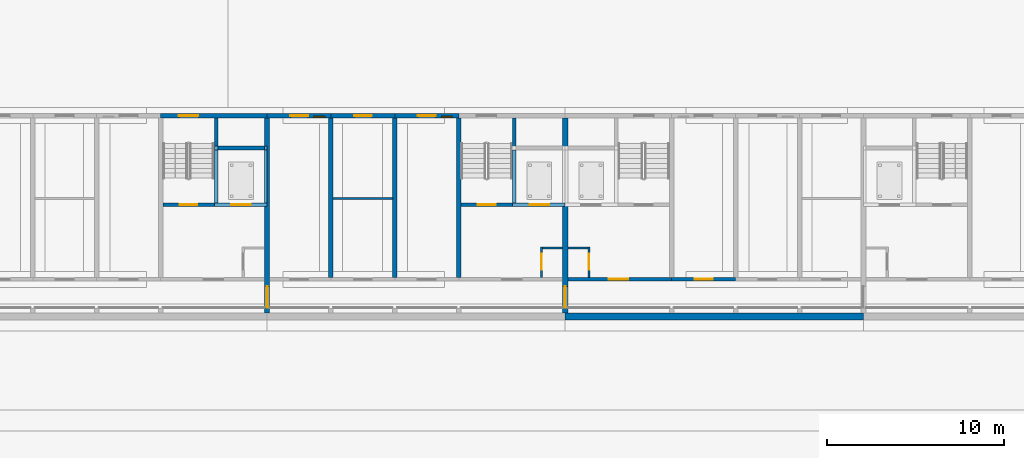
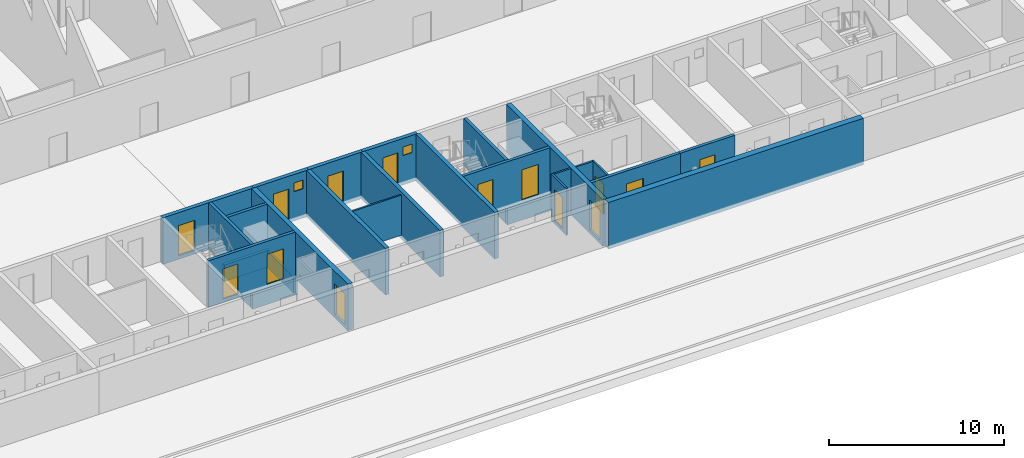
# One storey, part 59 of 112: 28 walls, 14 doors, 2 windows, 16 openings.
"""IFC4 building model written with IfcOpenShell, lengths in metres."""

from ifc_helpers import new_model, si_unit, direction, frame, frame_2d, origin, place, context, subcontext, project, spatial, rectangle, extrude, material, layer, layer_set, type_object, element, fill, save


model = new_model("IFC4")

# Units and contexts
model_context = context("Model", 3, precision=1e-05, world=origin(), true_north=direction((0.0, 1.0)))
body_context = subcontext(model_context, "Body", "Model", "MODEL_VIEW")
ifc_project = project(units=[si_unit("LENGTHUNIT", "METRE"), si_unit("AREAUNIT", "SQUARE_METRE"), si_unit("VOLUMEUNIT", "CUBIC_METRE"), si_unit("PLANEANGLEUNIT", "RADIAN"), si_unit("MASSUNIT", "GRAM", prefix="KILO")], contexts=[model_context])

# Site, building, storey
site_placement = place(None, origin())
site = spatial("IfcSite", under=ifc_project, at=site_placement, CompositionType="ELEMENT")
building_placement = place(site_placement, origin())
building = spatial("IfcBuilding", under=site, at=building_placement, Name="Ridgestep Commons", CompositionType="ELEMENT")
storey_placement = place(building_placement, origin())
storey = spatial("IfcBuildingStorey", under=building, at=storey_placement, Name="L00", CompositionType="ELEMENT", Elevation=0.0)

# Wall
ifc_material_1 = material(Name="Concrete C30/37", Category="concrete")
ifc_layer_1 = layer(ifc_material_1, 0.25)
ifc_layer_set_1 = layer_set([ifc_layer_1], Name="Core cross wall 250")
wall_type_1 = type_object("IfcWallType", Name="Core cross wall 250", PredefinedType="SHEAR", material=ifc_layer_set_1)
wall_1_placement = place(storey_placement, frame((208.0, 13.75, -0.25), z_axis=(0.0, 0.0, 1.0), x_axis=(0.0, 1.0, 0.0)))
element("IfcWall", 1, at=wall_1_placement, inside=storey, type_object=wall_type_1, Name="Cross wall D-00-2080", PredefinedType="SHEAR", context=body_context, shape_type="SweptSolid", body=[
    extrude(rectangle(XDim=9.0, YDim=0.25, at=frame_2d((4.5, 0.0))), origin(), (0.0, 0.0, 1.0), 3.25),
])

# Wall, opening, door
ifc_material_2 = material(Name="Concrete C30/37", Category="concrete")
ifc_layer_2 = layer(ifc_material_2, 0.199951171875)
ifc_layer_set_2 = layer_set([ifc_layer_2], Name="Core south wall 200")
wall_type_2 = type_object("IfcWallType", Name="Core south wall 200", PredefinedType="SHEAR", material=ifc_layer_set_2)
wall_2_placement = place(storey_placement, frame((214.14990234375, 13.64990234375, -0.25), z_axis=(0.0, 0.0, 1.0), x_axis=(1.0, 0.0, 0.0)))
wall_2 = element("IfcWall", 2, at=wall_2_placement, inside=storey, type_object=wall_type_2, Name="Core south wall D5C L00", PredefinedType="SHEAR", context=body_context, shape_type="SweptSolid", body=[
    extrude(rectangle(XDim=5.85009765625, YDim=0.199951171875, at=frame_2d((2.925048828125, 0.0))), origin(), (0.0, 0.0, 1.0), 3.25),
])
opening_1_placement = place(wall_2_placement, frame((2.3125, 0.0, 0.25)))
opening_1 = element("IfcOpeningElement", 3, at=opening_1_placement, cuts=wall_2, Name="Opening D5C/00/1", PredefinedType="OPENING", context=body_context, shape_type="SweptSolid", body=[
    extrude(rectangle(XDim=1.10009765625, YDim=2.10009765625, at=frame_2d((0.550048828125, 1.050048828125))), frame((0.0, 0.10986328125, 0.0), z_axis=(0.0, -1.0, 0.0), x_axis=(1.0, 0.0, 0.0)), (0.0, 0.0, 1.0), 0.219970703125),
])
ifc_material_3 = material(Name="Steel fire door", Category="steel")
door_type_1 = type_object("IfcDoorType", Name="Lobby door 1100 x 2100 FD60", OperationType="NOTDEFINED", PredefinedType="DOOR", material=ifc_material_3)
door_1_placement = place(opening_1_placement, origin())
door_1 = element("IfcDoor", 4, at=door_1_placement, inside=storey, type_object=door_type_1, Name="Lobby door D5C/00/1", OperationType="SINGLE_SWING_LEFT", OverallHeight=2.10009765625, OverallWidth=1.10009765625, PredefinedType="DOOR", context=body_context, shape_type="SweptSolid", body=[
    extrude(rectangle(XDim=1.10009765625, YDim=2.10009765625, at=frame_2d((0.550048828125, 1.050048828125))), frame((0.0, 0.02490234375, 0.0), z_axis=(0.0, -1.0, 0.0), x_axis=(1.0, 0.0, 0.0)), (0.0, 0.0, 1.0), 0.050048828125),
])
fill(opening_1, door_1)

ifc_material_4 = material(Name="Concrete C30/37", Category="concrete")
ifc_layer_3 = layer(ifc_material_4, 0.1201171875)
ifc_layer_set_3 = layer_set([ifc_layer_3], Name="Core wall 120")
wall_type_3 = type_object("IfcWallType", Name="Core wall 120", PredefinedType="SHEAR", material=ifc_layer_set_3)
wall_3_placement = place(storey_placement, frame((212.659912109375, 13.75, -0.25), z_axis=(0.0, 0.0, 1.0), x_axis=(0.0, 1.0, 0.0)))
wall_3 = element("IfcWall", 5, at=wall_3_placement, inside=storey, type_object=wall_type_3, Name="Core riser w wall D4C L00", PredefinedType="SHEAR", context=body_context, shape_type="SweptSolid", body=[
    extrude(rectangle(XDim=1.719970703125, YDim=0.1201171875, at=frame_2d((0.85986328125, 0.0))), origin(), (0.0, 0.0, 1.0), 3.25),
])
opening_2_placement = place(wall_3_placement, frame((0.449951171875, 0.0, 0.25)))
opening_2 = element("IfcOpeningElement", 6, at=opening_2_placement, cuts=wall_3, Name="Opening D4C/00/4", PredefinedType="OPENING", context=body_context, shape_type="SweptSolid", body=[
    extrude(rectangle(XDim=0.89990234375, YDim=2.10009765625, at=frame_2d((0.449951171875, 1.050048828125))), frame((0.0, 0.070068359375, 0.0), z_axis=(0.0, -1.0, 0.0), x_axis=(1.0, 0.0, 0.0)), (0.0, 0.0, 1.0), 0.14013671875),
])
ifc_material_5 = material(Name="Steel fire door", Category="steel")
door_type_2 = type_object("IfcDoorType", Name="Riser door 900 x 2100 FD60", OperationType="NOTDEFINED", PredefinedType="DOOR", material=ifc_material_5)
door_2_placement = place(opening_2_placement, origin())
door_2 = element("IfcDoor", 7, at=door_2_placement, inside=storey, type_object=door_type_2, Name="Riser door D4C/00/4", OperationType="SINGLE_SWING_LEFT", OverallHeight=2.10009765625, OverallWidth=0.89990234375, PredefinedType="DOOR", context=body_context, shape_type="SweptSolid", body=[
    extrude(rectangle(XDim=0.89990234375, YDim=2.10009765625, at=frame_2d((0.449951171875, 1.050048828125))), frame((0.0, 0.02490234375, 0.0), z_axis=(0.0, -1.0, 0.0), x_axis=(1.0, 0.0, 0.0)), (0.0, 0.0, 1.0), 0.050048828125),
])
fill(opening_2, door_2)

# Wall
wall_4_placement = place(storey_placement, frame((212.719970703125, 15.409912109375, -0.25), z_axis=(0.0, 0.0, 1.0), x_axis=(1.0, 0.0, 0.0)))
element("IfcWall", 8, at=wall_4_placement, inside=storey, type_object=wall_type_3, Name="Core riser n wall D4C L00", PredefinedType="SHEAR", context=body_context, shape_type="SweptSolid", body=[
    extrude(rectangle(XDim=1.130126953125, YDim=0.1201171875, at=frame_2d((0.56494140625, 0.0))), origin(), (0.0, 0.0, 1.0), 3.25),
])

# Wall, opening, door
wall_5_placement = place(storey_placement, frame((215.340087890625, 13.75, -0.25), z_axis=(0.0, 0.0, 1.0), x_axis=(0.0, 1.0, 0.0)))
wall_5 = element("IfcWall", 9, at=wall_5_placement, inside=storey, type_object=wall_type_3, Name="Core riser w wall D5C L00", PredefinedType="SHEAR", context=body_context, shape_type="SweptSolid", body=[
    extrude(rectangle(XDim=1.719970703125, YDim=0.1201171875, at=frame_2d((0.85986328125, 0.0))), origin(), (0.0, 0.0, 1.0), 3.25),
])
opening_3_placement = place(wall_5_placement, frame((0.449951171875, 0.0, 0.25)))
opening_3 = element("IfcOpeningElement", 10, at=opening_3_placement, cuts=wall_5, Name="Opening D5C/00/4", PredefinedType="OPENING", context=body_context, shape_type="SweptSolid", body=[
    extrude(rectangle(XDim=0.89990234375, YDim=2.10009765625, at=frame_2d((0.449951171875, 1.050048828125))), frame((0.0, 0.070068359375, 0.0), z_axis=(0.0, -1.0, 0.0), x_axis=(1.0, 0.0, 0.0)), (0.0, 0.0, 1.0), 0.14013671875),
])
door_3_placement = place(opening_3_placement, origin())
door_3 = element("IfcDoor", 11, at=door_3_placement, inside=storey, type_object=door_type_2, Name="Riser door D5C/00/4", OperationType="SINGLE_SWING_RIGHT", OverallHeight=2.10009765625, OverallWidth=0.89990234375, PredefinedType="DOOR", context=body_context, shape_type="SweptSolid", body=[
    extrude(rectangle(XDim=0.89990234375, YDim=2.10009765625, at=frame_2d((0.449951171875, 1.050048828125))), frame((0.0, 0.02490234375, 0.0), z_axis=(0.0, -1.0, 0.0), x_axis=(1.0, 0.0, 0.0)), (0.0, 0.0, 1.0), 0.050048828125),
])
fill(opening_3, door_3)

# Walls
wall_6_placement = place(storey_placement, frame((214.14990234375, 15.409912109375, -0.25), z_axis=(0.0, 0.0, 1.0), x_axis=(1.0, 0.0, 0.0)))
element("IfcWall", 12, at=wall_6_placement, inside=storey, type_object=wall_type_3, Name="Core riser n wall D5C L00", PredefinedType="SHEAR", context=body_context, shape_type="SweptSolid", body=[
    extrude(rectangle(XDim=1.130126953125, YDim=0.1201171875, at=frame_2d((0.56494140625, 0.0))), origin(), (0.0, 0.0, 1.0), 3.25),
])
ifc_material_6 = material(Name="Concrete C30/37", Category="concrete")
ifc_layer_4 = layer(ifc_material_6, 0.14990234375)
ifc_layer_set_4 = layer_set([ifc_layer_4], Name="Core wall 150")
wall_type_4 = type_object("IfcWallType", Name="Core wall 150", PredefinedType="SHEAR", material=ifc_layer_set_4)
wall_7_placement = place(storey_placement, frame((197.125, 17.949951171875, -1.39990234375), z_axis=(0.0, 0.0, 1.0), x_axis=(0.0, 1.0, 0.0)))
element("IfcWall", 13, at=wall_7_placement, inside=storey, type_object=wall_type_4, Name="Lift pit wall D3C", PredefinedType="SHEAR", context=body_context, shape_type="SweptSolid", body=[
    extrude(rectangle(XDim=3.0, YDim=0.14990234375, at=frame_2d((1.5, 0.0))), origin(), (0.0, 0.0, 1.0), 1.14990234375),
])

# Wall, openings, doors
ifc_material_7 = material(Name="Concrete C30/37", Category="concrete")
ifc_layer_5 = layer(ifc_material_7, 0.199951171875)
ifc_layer_set_5 = layer_set([ifc_layer_5], Name="Core wall 200")
wall_type_5 = type_object("IfcWallType", Name="Core wall 200", PredefinedType="SHEAR", material=ifc_layer_set_5)
wall_8_placement = place(storey_placement, frame((191.324951171875, 17.85009765625, -0.25), z_axis=(0.0, 0.0, 1.0), x_axis=(1.0, 0.0, 0.0)))
wall_8 = element("IfcWall", 14, at=wall_8_placement, inside=storey, type_object=wall_type_5, Name="Core lobby wall D3C L00", PredefinedType="SHEAR", context=body_context, shape_type="SweptSolid", body=[
    extrude(rectangle(XDim=5.72509765625, YDim=0.199951171875, at=frame_2d((2.862548828125, 0.0))), origin(), (0.0, 0.0, 1.0), 3.25),
])
opening_4_placement = place(wall_8_placement, frame((0.949951171875, 0.0, 0.25)))
opening_4 = element("IfcOpeningElement", 15, at=opening_4_placement, cuts=wall_8, Name="Opening D3C/00/2", PredefinedType="OPENING", context=body_context, shape_type="SweptSolid", body=[
    extrude(rectangle(XDim=1.0, YDim=2.10009765625, at=frame_2d((0.5, 1.050048828125))), frame((0.0, 0.10986328125, 0.0), z_axis=(0.0, -1.0, 0.0), x_axis=(1.0, 0.0, 0.0)), (0.0, 0.0, 1.0), 0.219970703125),
])
opening_5_placement = place(wall_8_placement, frame((3.862548828125, 0.0, 0.25)))
opening_5 = element("IfcOpeningElement", 16, at=opening_5_placement, cuts=wall_8, Name="Opening D3C/00/3", PredefinedType="OPENING", context=body_context, shape_type="SweptSolid", body=[
    extrude(rectangle(XDim=1.10009765625, YDim=2.10009765625, at=frame_2d((0.550048828125, 1.050048828125))), frame((0.0, 0.10986328125, 0.0), z_axis=(0.0, -1.0, 0.0), x_axis=(1.0, 0.0, 0.0)), (0.0, 0.0, 1.0), 0.219970703125),
])
ifc_material_8 = material(Name="Stainless steel", Category="steel")
door_type_3 = type_object("IfcDoorType", Name="Lift landing door 1100 x 2100 FD60", OperationType="DOUBLE_DOOR_SLIDING", PredefinedType="DOOR", material=ifc_material_8)
door_4_placement = place(opening_5_placement, origin())
door_4 = element("IfcDoor", 17, at=door_4_placement, inside=storey, type_object=door_type_3, Name="Landing door LD D3C L00", OperationType="DOUBLE_DOOR_SLIDING", OverallHeight=2.10009765625, OverallWidth=1.10009765625, PredefinedType="DOOR", context=body_context, shape_type="SweptSolid", body=[
    extrude(rectangle(XDim=1.10009765625, YDim=2.10009765625, at=frame_2d((0.550048828125, 1.050048828125))), frame((0.0, 0.02490234375, 0.0), z_axis=(0.0, -1.0, 0.0), x_axis=(1.0, 0.0, 0.0)), (0.0, 0.0, 1.0), 0.050048828125),
])
fill(opening_5, door_4)
ifc_material_9 = material(Name="Steel fire door", Category="steel")
door_type_4 = type_object("IfcDoorType", Name="Stair door 1000 x 2100 FD60", OperationType="NOTDEFINED", PredefinedType="DOOR", material=ifc_material_9)
door_5_placement = place(opening_4_placement, origin())
door_5 = element("IfcDoor", 18, at=door_5_placement, inside=storey, type_object=door_type_4, Name="Stair door D3C/00/2", OperationType="SINGLE_SWING_RIGHT", OverallHeight=2.10009765625, OverallWidth=1.0, PredefinedType="DOOR", context=body_context, shape_type="SweptSolid", body=[
    extrude(rectangle(XDim=1.0, YDim=2.10009765625, at=frame_2d((0.5, 1.050048828125))), frame((0.0, 0.02490234375, 0.0), z_axis=(0.0, -1.0, 0.0), x_axis=(1.0, 0.0, 0.0)), (0.0, 0.0, 1.0), 0.050048828125),
])
fill(opening_4, door_5)

# Walls
wall_9_placement = place(storey_placement, frame((194.324951171875, 17.949951171875, -0.25), z_axis=(0.0, 0.0, 1.0), x_axis=(0.0, 1.0, 0.0)))
element("IfcWall", 19, at=wall_9_placement, inside=storey, type_object=wall_type_5, Name="Core stair wall D3C L00", PredefinedType="SHEAR", context=body_context, shape_type="SweptSolid", body=[
    extrude(rectangle(XDim=4.800048828125, YDim=0.199951171875, at=frame_2d((2.39990234375, 0.0))), origin(), (0.0, 0.0, 1.0), 3.25),
])
wall_10_placement = place(storey_placement, frame((194.425048828125, 21.050048828125, -0.25), z_axis=(0.0, 0.0, 1.0), x_axis=(1.0, 0.0, 0.0)))
element("IfcWall", 20, at=wall_10_placement, inside=storey, type_object=wall_type_5, Name="Core duct wall D3C L00", PredefinedType="SHEAR", context=body_context, shape_type="SweptSolid", body=[
    extrude(rectangle(XDim=2.625, YDim=0.199951171875, at=frame_2d((1.3125, 0.0))), origin(), (0.0, 0.0, 1.0), 3.25),
])

# Wall, openings, doors
wall_11_placement = place(storey_placement, frame((208.125, 17.85009765625, -0.25), z_axis=(0.0, 0.0, 1.0), x_axis=(1.0, 0.0, 0.0)))
wall_11 = element("IfcWall", 21, at=wall_11_placement, inside=storey, type_object=wall_type_5, Name="Core lobby wall D4C L00", PredefinedType="SHEAR", context=body_context, shape_type="SweptSolid", body=[
    extrude(rectangle(XDim=5.72509765625, YDim=0.199951171875, at=frame_2d((2.862548828125, 0.0))), origin(), (0.0, 0.0, 1.0), 3.25),
])
opening_6_placement = place(wall_11_placement, frame((0.949951171875, 0.0, 0.25)))
opening_6 = element("IfcOpeningElement", 22, at=opening_6_placement, cuts=wall_11, Name="Opening D4C/00/2", PredefinedType="OPENING", context=body_context, shape_type="SweptSolid", body=[
    extrude(rectangle(XDim=1.0, YDim=2.10009765625, at=frame_2d((0.5, 1.050048828125))), frame((0.0, 0.10986328125, 0.0), z_axis=(0.0, -1.0, 0.0), x_axis=(1.0, 0.0, 0.0)), (0.0, 0.0, 1.0), 0.219970703125),
])
opening_7_placement = place(wall_11_placement, frame((3.862548828125, 0.0, 0.25)))
opening_7 = element("IfcOpeningElement", 23, at=opening_7_placement, cuts=wall_11, Name="Opening D4C/00/3", PredefinedType="OPENING", context=body_context, shape_type="SweptSolid", body=[
    extrude(rectangle(XDim=1.10009765625, YDim=2.10009765625, at=frame_2d((0.550048828125, 1.050048828125))), frame((0.0, 0.10986328125, 0.0), z_axis=(0.0, -1.0, 0.0), x_axis=(1.0, 0.0, 0.0)), (0.0, 0.0, 1.0), 0.219970703125),
])
door_6_placement = place(opening_7_placement, origin())
door_6 = element("IfcDoor", 24, at=door_6_placement, inside=storey, type_object=door_type_3, Name="Landing door LD D4C L00", OperationType="DOUBLE_DOOR_SLIDING", OverallHeight=2.10009765625, OverallWidth=1.10009765625, PredefinedType="DOOR", context=body_context, shape_type="SweptSolid", body=[
    extrude(rectangle(XDim=1.10009765625, YDim=2.10009765625, at=frame_2d((0.550048828125, 1.050048828125))), frame((0.0, 0.02490234375, 0.0), z_axis=(0.0, -1.0, 0.0), x_axis=(1.0, 0.0, 0.0)), (0.0, 0.0, 1.0), 0.050048828125),
])
fill(opening_7, door_6)
door_7_placement = place(opening_6_placement, origin())
door_7 = element("IfcDoor", 25, at=door_7_placement, inside=storey, type_object=door_type_4, Name="Stair door D4C/00/2", OperationType="SINGLE_SWING_RIGHT", OverallHeight=2.10009765625, OverallWidth=1.0, PredefinedType="DOOR", context=body_context, shape_type="SweptSolid", body=[
    extrude(rectangle(XDim=1.0, YDim=2.10009765625, at=frame_2d((0.5, 1.050048828125))), frame((0.0, 0.02490234375, 0.0), z_axis=(0.0, -1.0, 0.0), x_axis=(1.0, 0.0, 0.0)), (0.0, 0.0, 1.0), 0.050048828125),
])
fill(opening_6, door_7)

# Walls
wall_12_placement = place(storey_placement, frame((211.125, 17.949951171875, -0.25), z_axis=(0.0, 0.0, 1.0), x_axis=(0.0, 1.0, 0.0)))
element("IfcWall", 26, at=wall_12_placement, inside=storey, type_object=wall_type_5, Name="Core stair wall D4C L00", PredefinedType="SHEAR", context=body_context, shape_type="SweptSolid", body=[
    extrude(rectangle(XDim=4.800048828125, YDim=0.199951171875, at=frame_2d((2.39990234375, 0.0))), origin(), (0.0, 0.0, 1.0), 3.25),
])
for number, where, z_axis, x_axis, name in (
    (27, (194.22509765625, 17.85009765625, -1.39990234375), (0.0, 0.0, 1.0), (1.0, 0.0, 0.0), "Lift pit wall D3C"),
    (28, (194.22509765625, 21.050048828125, -1.39990234375), (0.0, 0.0, 1.0), (1.0, 0.0, 0.0), "Lift pit wall D3C"),
):
    element("IfcWall", number, at=place(storey_placement, frame(where, z_axis=z_axis, x_axis=x_axis)), inside=storey, type_object=wall_type_5, Name=name, PredefinedType="SHEAR", context=body_context, shape_type="SweptSolid", body=[
        extrude(rectangle(XDim=2.974853515625, YDim=0.199951171875, at=frame_2d((1.4873046875, 0.0))), origin(), (0.0, 0.0, 1.0), 1.14990234375),
    ])
wall_13_placement = place(storey_placement, frame((194.324951171875, 17.949951171875, -1.39990234375), z_axis=(0.0, 0.0, 1.0), x_axis=(0.0, 1.0, 0.0)))
element("IfcWall", 29, at=wall_13_placement, inside=storey, type_object=wall_type_5, Name="Lift pit wall D3C", PredefinedType="SHEAR", context=body_context, shape_type="SweptSolid", body=[
    extrude(rectangle(XDim=3.0, YDim=0.199951171875, at=frame_2d((1.5, 0.0))), origin(), (0.0, 0.0, 1.0), 1.14990234375),
])
wall_14_placement = place(storey_placement, frame((211.02490234375, 17.85009765625, -1.39990234375), z_axis=(0.0, 0.0, 1.0), x_axis=(1.0, 0.0, 0.0)))
element("IfcWall", 30, at=wall_14_placement, inside=storey, type_object=wall_type_5, Name="Lift pit wall D4C", PredefinedType="SHEAR", context=body_context, shape_type="SweptSolid", body=[
    extrude(rectangle(XDim=2.97509765625, YDim=0.199951171875, at=frame_2d((1.487548828125, 0.0))), origin(), (0.0, 0.0, 1.0), 1.14990234375),
])
wall_15_placement = place(storey_placement, frame((211.125, 17.949951171875, -1.39990234375), z_axis=(0.0, 0.0, 1.0), x_axis=(0.0, 1.0, 0.0)))
element("IfcWall", 31, at=wall_15_placement, inside=storey, type_object=wall_type_5, Name="Lift pit wall D4C", PredefinedType="SHEAR", context=body_context, shape_type="SweptSolid", body=[
    extrude(rectangle(XDim=3.0, YDim=0.199951171875, at=frame_2d((1.5, 0.0))), origin(), (0.0, 0.0, 1.0), 1.14990234375),
])
ifc_material_10 = material(Name="Precast concrete C40/50", Category="concrete")
ifc_layer_6 = layer(ifc_material_10, 0.25)
ifc_layer_set_6 = layer_set([ifc_layer_6], Name="Cross wall 250")
wall_type_6 = type_object("IfcWallType", Name="Cross wall 250", PredefinedType="SHEAR", material=ifc_layer_set_6)
for number, where, z_axis, x_axis, name in (
    (32, (200.800048828125, 13.75, -0.25), (0.0, 0.0, 1.0), (0.0, 1.0, 0.0), "Cross wall D-00-2008"),
    (33, (204.39990234375, 13.75, -0.25), (0.0, 0.0, 1.0), (0.0, 1.0, 0.0), "Cross wall D-00-2044"),
):
    element("IfcWall", number, at=place(storey_placement, frame(where, z_axis=z_axis, x_axis=x_axis)), inside=storey, type_object=wall_type_6, Name=name, PredefinedType="SHEAR", context=body_context, shape_type="SweptSolid", body=[
        extrude(rectangle(XDim=9.0, YDim=0.25, at=frame_2d((4.5, 0.0))), origin(), (0.0, 0.0, 1.0), 3.25),
    ])

# Wall, opening, door
ifc_material_11 = material(Name="Precast concrete C40/50", Category="concrete")
ifc_layer_7 = layer(ifc_material_11, 0.300048828125)
ifc_layer_set_7 = layer_set([ifc_layer_7], Name="Division wall 300")
wall_type_7 = type_object("IfcWallType", Name="Division wall 300", PredefinedType="SHEAR", material=ifc_layer_set_7)
wall_16_placement = place(storey_placement, frame((197.199951171875, 11.75, -0.25), z_axis=(0.0, 0.0, 1.0), x_axis=(0.0, 1.0, 0.0)))
wall_16 = element("IfcWall", 34, at=wall_16_placement, inside=storey, type_object=wall_type_7, Name="Cross wall D-00-1972", PredefinedType="SHEAR", context=body_context, shape_type="SweptSolid", body=[
    extrude(rectangle(XDim=11.0, YDim=0.300048828125, at=frame_2d((5.5, 0.0))), origin(), (0.0, 0.0, 1.0), 3.25),
])
opening_8_placement = place(wall_16_placement, frame((0.300048828125, 0.0, 0.25)))
opening_8 = element("IfcOpeningElement", 35, at=opening_8_placement, cuts=wall_16, Name="Opening D/00/G1972", PredefinedType="OPENING", context=body_context, shape_type="SweptSolid", body=[
    extrude(rectangle(XDim=1.199951171875, YDim=2.10009765625, at=frame_2d((0.60009765625, 1.050048828125))), frame((0.0, 0.159912109375, 0.0), z_axis=(0.0, -1.0, 0.0), x_axis=(1.0, 0.0, 0.0)), (0.0, 0.0, 1.0), 0.320068359375),
])
ifc_material_12 = material(Name="Steel fire door", Category="steel")
door_type_5 = type_object("IfcDoorType", Name="Division fire door 1200 x 2100 EI 240", OperationType="DOUBLE_DOOR_SINGLE_SWING", PredefinedType="DOOR", material=ifc_material_12)
door_8_placement = place(opening_8_placement, origin())
door_8 = element("IfcDoor", 36, at=door_8_placement, inside=storey, type_object=door_type_5, Name="Division fire door D/00/G1972", OperationType="DOUBLE_DOOR_SINGLE_SWING", OverallHeight=2.10009765625, OverallWidth=1.199951171875, PredefinedType="DOOR", context=body_context, shape_type="SweptSolid", body=[
    extrude(rectangle(XDim=1.199951171875, YDim=2.10009765625, at=frame_2d((0.60009765625, 1.050048828125))), frame((0.0, 0.02490234375, 0.0), z_axis=(0.0, -1.0, 0.0), x_axis=(1.0, 0.0, 0.0)), (0.0, 0.0, 1.0), 0.050048828125),
])
fill(opening_8, door_8)

wall_17_placement = place(storey_placement, frame((214.0, 11.75, -0.25), z_axis=(0.0, 0.0, 1.0), x_axis=(0.0, 1.0, 0.0)))
wall_17 = element("IfcWall", 37, at=wall_17_placement, inside=storey, type_object=wall_type_7, Name="Cross wall D-00-2140", PredefinedType="SHEAR", context=body_context, shape_type="SweptSolid", body=[
    extrude(rectangle(XDim=11.0, YDim=0.300048828125, at=frame_2d((5.5, 0.0))), origin(), (0.0, 0.0, 1.0), 3.25),
])
opening_9_placement = place(wall_17_placement, frame((0.300048828125, 0.0, 0.25)))
opening_9 = element("IfcOpeningElement", 38, at=opening_9_placement, cuts=wall_17, Name="Opening D/00/G2140", PredefinedType="OPENING", context=body_context, shape_type="SweptSolid", body=[
    extrude(rectangle(XDim=1.199951171875, YDim=2.10009765625, at=frame_2d((0.60009765625, 1.050048828125))), frame((0.0, 0.159912109375, 0.0), z_axis=(0.0, -1.0, 0.0), x_axis=(1.0, 0.0, 0.0)), (0.0, 0.0, 1.0), 0.320068359375),
])
door_9_placement = place(opening_9_placement, origin())
door_9 = element("IfcDoor", 39, at=door_9_placement, inside=storey, type_object=door_type_5, Name="Division fire door D/00/G2140", OperationType="DOUBLE_DOOR_SINGLE_SWING", OverallHeight=2.10009765625, OverallWidth=1.199951171875, PredefinedType="DOOR", context=body_context, shape_type="SweptSolid", body=[
    extrude(rectangle(XDim=1.199951171875, YDim=2.10009765625, at=frame_2d((0.60009765625, 1.050048828125))), frame((0.0, 0.02490234375, 0.0), z_axis=(0.0, -1.0, 0.0), x_axis=(1.0, 0.0, 0.0)), (0.0, 0.0, 1.0), 0.050048828125),
])
fill(opening_9, door_9)

ifc_material_13 = material(Name="Precast concrete C40/50", Category="concrete")
ifc_layer_8 = layer(ifc_material_13, 0.25)
ifc_layer_set_8 = layer_set([ifc_layer_8], Name="North facade panel 250")
wall_type_8 = type_object("IfcWallType", Name="North facade panel 250", PredefinedType="SOLIDWALL", material=ifc_layer_set_8)
wall_18_placement = place(storey_placement, frame((191.199951171875, 22.875, -0.25), z_axis=(0.0, 0.0, 1.0), x_axis=(1.0, 0.0, 0.0)))
wall_18 = element("IfcWall", 40, at=wall_18_placement, inside=storey, type_object=wall_type_8, Name="North panel D3C L00", PredefinedType="SOLIDWALL", context=body_context, shape_type="SweptSolid", body=[
    extrude(rectangle(XDim=6.0, YDim=0.25, at=frame_2d((3.0, 0.0))), origin(), (0.0, 0.0, 1.0), 3.25),
])
opening_10_placement = place(wall_18_placement, frame((1.02490234375, 0.0, 0.25)))
opening_10 = element("IfcOpeningElement", 41, at=opening_10_placement, cuts=wall_18, Name="Opening D3C/00/5", PredefinedType="OPENING", context=body_context, shape_type="SweptSolid", body=[
    extrude(rectangle(XDim=1.10009765625, YDim=2.10009765625, at=frame_2d((0.550048828125, 1.050048828125))), frame((0.0, 0.135009765625, 0.0), z_axis=(0.0, -1.0, 0.0), x_axis=(1.0, 0.0, 0.0)), (0.0, 0.0, 1.0), 0.27001953125),
])
ifc_material_14 = material(Name="Steel fire door", Category="steel")
door_type_6 = type_object("IfcDoorType", Name="Stair exit door 1100 x 2100 FD60", OperationType="NOTDEFINED", PredefinedType="DOOR", material=ifc_material_14)
door_10_placement = place(opening_10_placement, origin())
door_10 = element("IfcDoor", 42, at=door_10_placement, inside=storey, type_object=door_type_6, Name="Stair exit door D3C/00/5", OperationType="SINGLE_SWING_LEFT", OverallHeight=2.10009765625, OverallWidth=1.10009765625, PredefinedType="DOOR", context=body_context, shape_type="SweptSolid", body=[
    extrude(rectangle(XDim=1.10009765625, YDim=2.10009765625, at=frame_2d((0.550048828125, 1.050048828125))), frame((0.0, 0.02490234375, 0.0), z_axis=(0.0, -1.0, 0.0), x_axis=(1.0, 0.0, 0.0)), (0.0, 0.0, 1.0), 0.050048828125),
])
fill(opening_10, door_10)

# Wall, openings, door, window
wall_19_placement = place(storey_placement, frame((197.199951171875, 22.875, -0.25), z_axis=(0.0, 0.0, 1.0), x_axis=(1.0, 0.0, 0.0)))
wall_19 = element("IfcWall", 43, at=wall_19_placement, inside=storey, type_object=wall_type_8, Name="North panel D4T1 L00", PredefinedType="SOLIDWALL", context=body_context, shape_type="SweptSolid", body=[
    extrude(rectangle(XDim=3.60009765625, YDim=0.25, at=frame_2d((1.800048828125, 0.0))), origin(), (0.0, 0.0, 1.0), 3.25),
])
opening_11_placement = place(wall_19_placement, frame((2.643798828125, 0.0, 2.050048828125)))
opening_11 = element("IfcOpeningElement", 44, at=opening_11_placement, cuts=wall_19, Name="Opening W01", PredefinedType="OPENING", context=body_context, shape_type="SweptSolid", body=[
    extrude(rectangle(XDim=0.60009765625, YDim=0.60009765625, at=frame_2d((0.300048828125, 0.300048828125))), frame((0.0, 0.135009765625, 0.0), z_axis=(0.0, -1.0, 0.0), x_axis=(1.0, 0.0, 0.0)), (0.0, 0.0, 1.0), 0.27001953125),
])
opening_12_placement = place(wall_19_placement, frame((1.3125, 0.0, 0.25)))
opening_12 = element("IfcOpeningElement", 45, at=opening_12_placement, cuts=wall_19, Name="Opening D4-00p/2", PredefinedType="OPENING", context=body_context, shape_type="SweptSolid", body=[
    extrude(rectangle(XDim=1.0, YDim=2.10009765625, at=frame_2d((0.5, 1.050048828125))), frame((0.0, 0.135009765625, 0.0), z_axis=(0.0, -1.0, 0.0), x_axis=(1.0, 0.0, 0.0)), (0.0, 0.0, 1.0), 0.27001953125),
])
ifc_material_15 = material(Name="Steel door leaf", Category="steel")
door_type_7 = type_object("IfcDoorType", Name="Exterior door 1000 x 2100", OperationType="NOTDEFINED", PredefinedType="DOOR", material=ifc_material_15)
door_11_placement = place(opening_12_placement, origin())
door_11 = element("IfcDoor", 46, at=door_11_placement, inside=storey, type_object=door_type_7, Name="Exterior door D4-00p/2", OperationType="SINGLE_SWING_LEFT", OverallHeight=2.10009765625, OverallWidth=1.0, PredefinedType="DOOR", context=body_context, shape_type="SweptSolid", body=[
    extrude(rectangle(XDim=1.0, YDim=2.10009765625, at=frame_2d((0.5, 1.050048828125))), frame((0.0, 0.02490234375, 0.0), z_axis=(0.0, -1.0, 0.0), x_axis=(1.0, 0.0, 0.0)), (0.0, 0.0, 1.0), 0.050048828125),
])
fill(opening_12, door_11)
ifc_material_16 = material(Name="Aluminium 6063-T6 and glass", Category="aluminium")
window_type = type_object("IfcWindowType", Name="Flat window 600 x 600", PartitioningType="SINGLE_PANEL", PredefinedType="WINDOW", material=ifc_material_16)
window_1_placement = place(opening_11_placement, origin())
window_1 = element("IfcWindow", 47, at=window_1_placement, inside=storey, type_object=window_type, Name="Window D4-00p 2", OverallHeight=0.60009765625, OverallWidth=0.60009765625, PartitioningType="SINGLE_PANEL", PredefinedType="WINDOW", context=body_context, shape_type="SweptSolid", body=[
    extrude(rectangle(XDim=0.60009765625, YDim=0.60009765625, at=frame_2d((0.300048828125, 0.300048828125))), frame((0.0, -0.02490234375, 0.0), z_axis=(0.0, -1.0, 0.0), x_axis=(1.0, 0.0, 0.0)), (0.0, 0.0, 1.0), 0.06005859375),
])
fill(opening_11, window_1)

# Wall, opening, door
wall_20_placement = place(storey_placement, frame((200.800048828125, 22.875, -0.25), z_axis=(0.0, 0.0, 1.0), x_axis=(1.0, 0.0, 0.0)))
wall_20 = element("IfcWall", 48, at=wall_20_placement, inside=storey, type_object=wall_type_8, Name="North panel D4T2 L00", PredefinedType="SOLIDWALL", context=body_context, shape_type="SweptSolid", body=[
    extrude(rectangle(XDim=3.599853515625, YDim=0.25, at=frame_2d((1.7998046875, 0.0))), origin(), (0.0, 0.0, 1.0), 3.25),
])
opening_13_placement = place(wall_20_placement, frame((1.300048828125, 0.0, 0.25)))
opening_13 = element("IfcOpeningElement", 49, at=opening_13_placement, cuts=wall_20, Name="Opening D4-00p/4", PredefinedType="OPENING", context=body_context, shape_type="SweptSolid", body=[
    extrude(rectangle(XDim=1.0, YDim=2.10009765625, at=frame_2d((0.5, 1.050048828125))), frame((0.0, 0.135009765625, 0.0), z_axis=(0.0, -1.0, 0.0), x_axis=(1.0, 0.0, 0.0)), (0.0, 0.0, 1.0), 0.27001953125),
])
door_12_placement = place(opening_13_placement, origin())
door_12 = element("IfcDoor", 50, at=door_12_placement, inside=storey, type_object=door_type_7, Name="Exterior door D4-00p/4", OperationType="SINGLE_SWING_LEFT", OverallHeight=2.10009765625, OverallWidth=1.0, PredefinedType="DOOR", context=body_context, shape_type="SweptSolid", body=[
    extrude(rectangle(XDim=1.0, YDim=2.10009765625, at=frame_2d((0.5, 1.050048828125))), frame((0.0, 0.02490234375, 0.0), z_axis=(0.0, -1.0, 0.0), x_axis=(1.0, 0.0, 0.0)), (0.0, 0.0, 1.0), 0.050048828125),
])
fill(opening_13, door_12)

# Wall, openings, door, window
wall_21_placement = place(storey_placement, frame((204.39990234375, 22.875, -0.25), z_axis=(0.0, 0.0, 1.0), x_axis=(1.0, 0.0, 0.0)))
wall_21 = element("IfcWall", 51, at=wall_21_placement, inside=storey, type_object=wall_type_8, Name="North panel D4T3 L00", PredefinedType="SOLIDWALL", context=body_context, shape_type="SweptSolid", body=[
    extrude(rectangle(XDim=3.60009765625, YDim=0.25, at=frame_2d((1.800048828125, 0.0))), origin(), (0.0, 0.0, 1.0), 3.25),
])
opening_14_placement = place(wall_21_placement, frame((2.637451171875, 0.0, 2.050048828125)))
opening_14 = element("IfcOpeningElement", 52, at=opening_14_placement, cuts=wall_21, Name="Opening W01", PredefinedType="OPENING", context=body_context, shape_type="SweptSolid", body=[
    extrude(rectangle(XDim=0.60009765625, YDim=0.60009765625, at=frame_2d((0.300048828125, 0.300048828125))), frame((0.0, 0.135009765625, 0.0), z_axis=(0.0, -1.0, 0.0), x_axis=(1.0, 0.0, 0.0)), (0.0, 0.0, 1.0), 0.27001953125),
])
opening_15_placement = place(wall_21_placement, frame((1.300048828125, 0.0, 0.25)))
opening_15 = element("IfcOpeningElement", 53, at=opening_15_placement, cuts=wall_21, Name="Opening D4-00p/6", PredefinedType="OPENING", context=body_context, shape_type="SweptSolid", body=[
    extrude(rectangle(XDim=1.0, YDim=2.10009765625, at=frame_2d((0.5, 1.050048828125))), frame((0.0, 0.135009765625, 0.0), z_axis=(0.0, -1.0, 0.0), x_axis=(1.0, 0.0, 0.0)), (0.0, 0.0, 1.0), 0.27001953125),
])
door_13_placement = place(opening_15_placement, origin())
door_13 = element("IfcDoor", 54, at=door_13_placement, inside=storey, type_object=door_type_7, Name="Exterior door D4-00p/6", OperationType="SINGLE_SWING_LEFT", OverallHeight=2.10009765625, OverallWidth=1.0, PredefinedType="DOOR", context=body_context, shape_type="SweptSolid", body=[
    extrude(rectangle(XDim=1.0, YDim=2.10009765625, at=frame_2d((0.5, 1.050048828125))), frame((0.0, 0.02490234375, 0.0), z_axis=(0.0, -1.0, 0.0), x_axis=(1.0, 0.0, 0.0)), (0.0, 0.0, 1.0), 0.050048828125),
])
fill(opening_15, door_13)
window_2_placement = place(opening_14_placement, origin())
window_2 = element("IfcWindow", 55, at=window_2_placement, inside=storey, type_object=window_type, Name="Window D4-00p 4", OverallHeight=0.60009765625, OverallWidth=0.60009765625, PartitioningType="SINGLE_PANEL", PredefinedType="WINDOW", context=body_context, shape_type="SweptSolid", body=[
    extrude(rectangle(XDim=0.60009765625, YDim=0.60009765625, at=frame_2d((0.300048828125, 0.300048828125))), frame((0.0, -0.02490234375, 0.0), z_axis=(0.0, -1.0, 0.0), x_axis=(1.0, 0.0, 0.0)), (0.0, 0.0, 1.0), 0.06005859375),
])
fill(opening_14, window_2)

# Walls
ifc_material_17 = material(Name="Common brick 110 mm", Category="masonry")
ifc_layer_9 = layer(ifc_material_17, 0.110107421875)
ifc_layer_set_9 = layer_set([ifc_layer_9], Name="Partition 110")
wall_type_9 = type_object("IfcWallType", Name="Partition 110", PredefinedType="PARTITIONING", material=ifc_layer_set_9)
wall_22_placement = place(storey_placement, frame((200.925048828125, 18.205078125, 0.0), z_axis=(0.0, 0.0, 1.0), x_axis=(1.0, 0.0, 0.0)))
element("IfcWall", 56, at=wall_22_placement, inside=storey, type_object=wall_type_9, Name="Partition D4-00p", PredefinedType="PARTITIONING", context=body_context, shape_type="SweptSolid", body=[
    extrude(rectangle(XDim=3.349853515625, YDim=0.110107421875, at=frame_2d((1.6748046875, 0.0))), origin(), (0.0, 0.0, 1.0), 2.800048828125),
])
ifc_material_18 = material(Name="Concrete C30/37", Category="concrete")
ifc_layer_10 = layer(ifc_material_18, 0.39990234375)
ifc_layer_set_10 = layer_set([ifc_layer_10], Name="Plinth retaining wall 400")
wall_type_10 = type_object("IfcWallType", Name="Plinth retaining wall 400", PredefinedType="SOLIDWALL", material=ifc_layer_set_10)
wall_23_placement = place(storey_placement, frame((214.0, 11.550048828125, -0.25), z_axis=(0.0, 0.0, 1.0), x_axis=(1.0, 0.0, 0.0)))
element("IfcWall", 57, at=wall_23_placement, inside=storey, type_object=wall_type_10, Name="Plinth retaining wall D5 L00", PredefinedType="SOLIDWALL", context=body_context, shape_type="SweptSolid", body=[
    extrude(rectangle(XDim=16.800048828125, YDim=0.39990234375, at=frame_2d((8.39990234375, 0.0))), origin(), (0.0, 0.0, 1.0), 3.25),
])

# Wall, opening, door
ifc_material_19 = material(Name="Precast concrete C40/50", Category="concrete")
ifc_layer_11 = layer(ifc_material_19, 0.199951171875)
ifc_layer_set_11 = layer_set([ifc_layer_11], Name="South facade panel 200")
wall_type_11 = type_object("IfcWallType", Name="South facade panel 200", PredefinedType="SOLIDWALL", material=ifc_layer_set_11)
wall_24_placement = place(storey_placement, frame((220.0, 13.64990234375, -0.25), z_axis=(0.0, 0.0, 1.0), x_axis=(1.0, 0.0, 0.0)))
wall_24 = element("IfcWall", 58, at=wall_24_placement, inside=storey, type_object=wall_type_11, Name="South panel D5T3 L00", PredefinedType="SOLIDWALL", context=body_context, shape_type="SweptSolid", body=[
    extrude(rectangle(XDim=3.60009765625, YDim=0.199951171875, at=frame_2d((1.800048828125, 0.0))), origin(), (0.0, 0.0, 1.0), 3.25),
])
opening_16_placement = place(wall_24_placement, frame((1.300048828125, 0.0, 0.25)))
opening_16 = element("IfcOpeningElement", 59, at=opening_16_placement, cuts=wall_24, Name="Opening D5-00p/1", PredefinedType="OPENING", context=body_context, shape_type="SweptSolid", body=[
    extrude(rectangle(XDim=1.0, YDim=2.10009765625, at=frame_2d((0.5, 1.050048828125))), frame((0.0, 0.10986328125, 0.0), z_axis=(0.0, -1.0, 0.0), x_axis=(1.0, 0.0, 0.0)), (0.0, 0.0, 1.0), 0.219970703125),
])
ifc_material_20 = material(Name="Steel door leaf", Category="steel")
door_type_8 = type_object("IfcDoorType", Name="Store door 1000 x 2100", OperationType="NOTDEFINED", PredefinedType="DOOR", material=ifc_material_20)
door_14_placement = place(opening_16_placement, origin())
door_14 = element("IfcDoor", 60, at=door_14_placement, inside=storey, type_object=door_type_8, Name="Store door D5-00p/1", OperationType="SINGLE_SWING_RIGHT", OverallHeight=2.10009765625, OverallWidth=1.0, PredefinedType="DOOR", context=body_context, shape_type="SweptSolid", body=[
    extrude(rectangle(XDim=1.0, YDim=2.10009765625, at=frame_2d((0.5, 1.050048828125))), frame((0.0, 0.02490234375, 0.0), z_axis=(0.0, -1.0, 0.0), x_axis=(1.0, 0.0, 0.0)), (0.0, 0.0, 1.0), 0.050048828125),
])
fill(opening_16, door_14)

save(model, "model.ifc")
